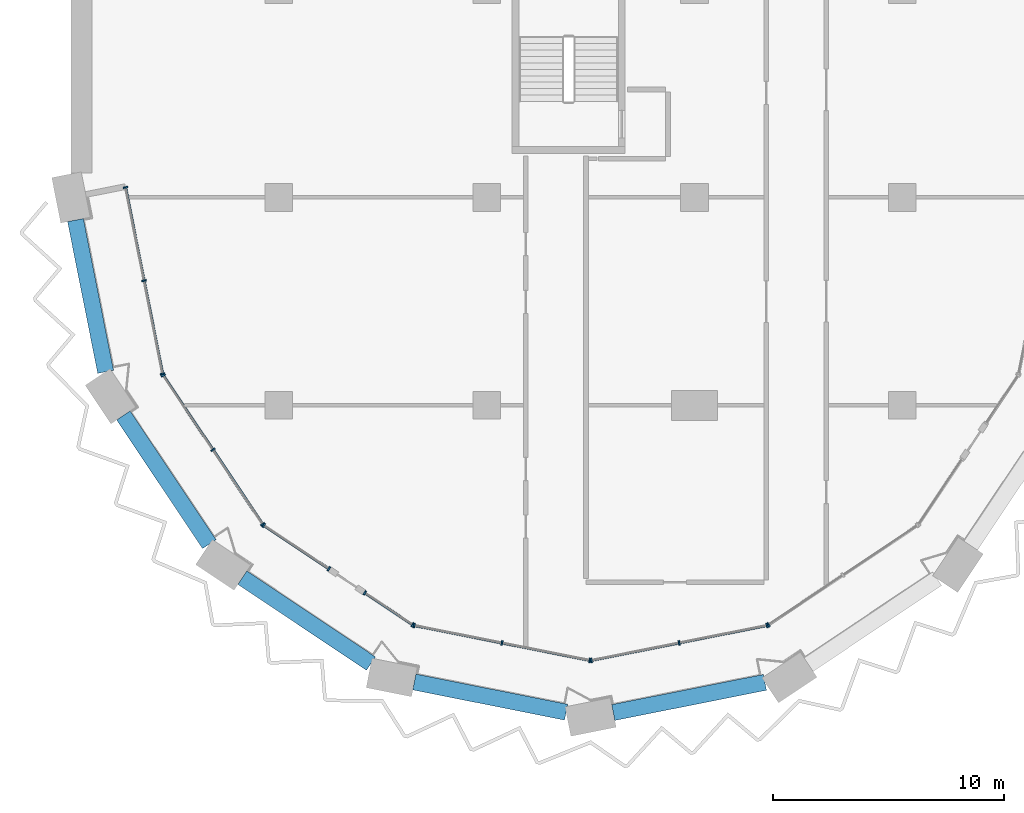
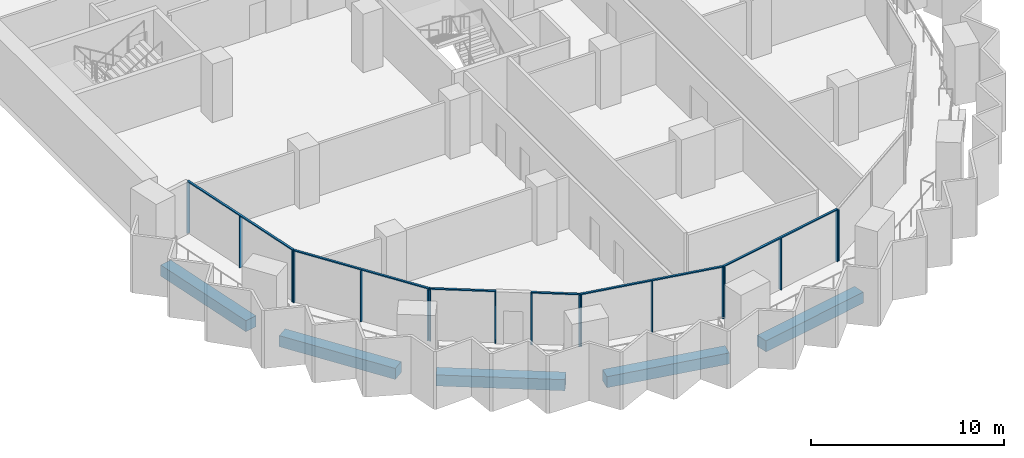
# One storey, part 2 of 23: 23 members, 5 beams, 7 elements without a shape of their own.
"""IFC4 building model written with IfcOpenShell, lengths in metres."""

from ifc_helpers import new_model, si_unit, direction, frame, origin, origin_2d, place, context, subcontext, project, spatial, rectangle, extrude, material, material_profile, profile_set, type_object, element, aggregate, save


model = new_model("IFC4")

# Units and contexts
model_context = context("Model", 3, precision=1e-05, world=origin(), true_north=direction((0.0, 1.0)))
body_context = subcontext(model_context, "Body", "Model", "MODEL_VIEW")
ifc_project = project(units=[si_unit("LENGTHUNIT", "METRE"), si_unit("AREAUNIT", "SQUARE_METRE"), si_unit("VOLUMEUNIT", "CUBIC_METRE"), si_unit("PLANEANGLEUNIT", "RADIAN"), si_unit("MASSUNIT", "GRAM", prefix="KILO")], contexts=[model_context])

# Site, building, storey
site_placement = place(None, origin())
site = spatial("IfcSite", under=ifc_project, at=site_placement, CompositionType="ELEMENT")
building_placement = place(site_placement, origin())
building = spatial("IfcBuilding", under=site, at=building_placement, Name="Hunhe Ridgeline Campus", CompositionType="ELEMENT")
storey_placement = place(building_placement, frame((0.0, 0.0, 148.60009765625)))
storey = spatial("IfcBuildingStorey", under=building, at=storey_placement, Name="L37", CompositionType="ELEMENT", Elevation=148.60009765625)

# Curtain wall, members
ifc_material_1 = material(Name="Aluminium 6063", Category="aluminium")
curtain_wall_type = type_object("IfcCurtainWallType", Name="Curtain wall CW-5", PredefinedType="NOTDEFINED", material=ifc_material_1)
curtain_wall_1_placement = place(storey_placement, origin())
curtain_wall_1 = element("IfcCurtainWall", 1, at=curtain_wall_1_placement, inside=storey, type_object=curtain_wall_type, Name="Curtain wall 01", PredefinedType="NOTDEFINED")
ifc_material_profile_1 = material_profile(ifc_material_1, rectangle(XDim=0.199951171875, YDim=0.070068359375, at=origin_2d()))
ifc_profile_set_1 = profile_set([ifc_material_profile_1], Name="Aluminium 6063")
member_type_1 = type_object("IfcMemberType", Name="CW-5 aluminium mullion", PredefinedType="MULLION", material=ifc_profile_set_1)
member_1_placement = place(storey_placement, frame((2.361572265625, 27.434326171875, 0.0), z_axis=(0.0, 0.0, 1.0), x_axis=(0.980784280831, 0.195095347137, 0.0)))
member_1 = element("IfcMember", 2, at=member_1_placement, type_object=member_type_1, Name="CW-5 mullion 1", PredefinedType="MULLION", context=body_context, shape_type="SweptSolid", body=[
    extrude(rectangle(XDim=0.199951171875, YDim=0.070068359375, at=origin_2d()), origin(), (0.0, 0.0, 1.0), 3.22998046875),
])
member_2_placement = place(storey_placement, frame((3.16455078125, 23.3974609375, 0.0), z_axis=(0.0, 0.0, 1.0), x_axis=(0.980784280831, 0.195095347137, 0.0)))
member_2 = element("IfcMember", 3, at=member_2_placement, type_object=member_type_1, Name="CW-5 mullion 2", PredefinedType="MULLION", context=body_context, shape_type="SweptSolid", body=[
    extrude(rectangle(XDim=0.199951171875, YDim=0.070068359375, at=origin_2d()), origin(), (0.0, 0.0, 1.0), 3.22998046875),
])
member_3_placement = place(storey_placement, frame((3.967529296875, 19.36083984375, 0.0), z_axis=(0.0, 0.0, 1.0), x_axis=(0.980784280831, 0.195095347137, 0.0)))
member_3 = element("IfcMember", 4, at=member_3_placement, type_object=member_type_1, Name="CW-5 mullion 3", PredefinedType="MULLION", context=body_context, shape_type="SweptSolid", body=[
    extrude(rectangle(XDim=0.199951171875, YDim=0.070068359375, at=origin_2d()), origin(), (0.0, 0.0, 1.0), 3.22998046875),
])

curtain_wall_2_placement = place(storey_placement, origin())
curtain_wall_2 = element("IfcCurtainWall", 5, at=curtain_wall_2_placement, inside=storey, type_object=curtain_wall_type, Name="Curtain wall 02", PredefinedType="NOTDEFINED")
member_4_placement = place(storey_placement, frame((3.993896484375, 19.29736328125, 0.0), z_axis=(0.0, 0.0, 1.0), x_axis=(0.831469584522, 0.555570274596, 0.0)))
member_4 = element("IfcMember", 6, at=member_4_placement, type_object=member_type_1, Name="CW-5 mullion 1", PredefinedType="MULLION", context=body_context, shape_type="SweptSolid", body=[
    extrude(rectangle(XDim=0.199951171875, YDim=0.070068359375, at=origin_2d()), origin(), (0.0, 0.0, 1.0), 3.22998046875),
])
member_5_placement = place(storey_placement, frame((6.147705078125, 16.07373046875, 0.0), z_axis=(0.0, 0.0, 1.0), x_axis=(0.831469584522, 0.555570274596, 0.0)))
member_5 = element("IfcMember", 7, at=member_5_placement, type_object=member_type_1, Name="CW-5 mullion 2", PredefinedType="MULLION", context=body_context, shape_type="SweptSolid", body=[
    extrude(rectangle(XDim=0.199951171875, YDim=0.070068359375, at=origin_2d()), origin(), (0.0, 0.0, 1.0), 3.22998046875),
])
member_6_placement = place(storey_placement, frame((8.3017578125, 12.850341796875, 0.0), z_axis=(0.0, 0.0, 1.0), x_axis=(0.831469584522, 0.555570274596, 0.0)))
member_6 = element("IfcMember", 8, at=member_6_placement, type_object=member_type_1, Name="CW-5 mullion 3", PredefinedType="MULLION", context=body_context, shape_type="SweptSolid", body=[
    extrude(rectangle(XDim=0.199951171875, YDim=0.070068359375, at=origin_2d()), origin(), (0.0, 0.0, 1.0), 3.22998046875),
])

curtain_wall_3_placement = place(storey_placement, origin())
curtain_wall_3 = element("IfcCurtainWall", 9, at=curtain_wall_3_placement, inside=storey, type_object=curtain_wall_type, Name="Curtain wall 03", PredefinedType="NOTDEFINED")
member_7_placement = place(storey_placement, frame((8.350341796875, 12.8017578125, 0.0), z_axis=(0.0, 0.0, 1.0), x_axis=(0.555570257501, 0.831469595944, 0.0)))
member_7 = element("IfcMember", 10, at=member_7_placement, type_object=member_type_1, Name="CW-5 mullion 1", PredefinedType="MULLION", context=body_context, shape_type="SweptSolid", body=[
    extrude(rectangle(XDim=0.199951171875, YDim=0.070068359375, at=origin_2d()), origin(), (0.0, 0.0, 1.0), 3.22998046875),
])
member_8_placement = place(storey_placement, frame((11.17041015625, 10.917236328125, 0.0), z_axis=(0.0, 0.0, 1.0), x_axis=(0.555570257501, 0.831469595944, 0.0)))
member_8 = element("IfcMember", 11, at=member_8_placement, type_object=member_type_1, Name="CW-5 mullion 2", PredefinedType="MULLION", context=body_context, shape_type="SweptSolid", body=[
    extrude(rectangle(XDim=0.199951171875, YDim=0.070068359375, at=origin_2d()), origin(), (0.0, 0.0, 1.0), 3.22998046875),
])

curtain_wall_4_placement = place(storey_placement, origin())
curtain_wall_4 = element("IfcCurtainWall", 12, at=curtain_wall_4_placement, inside=storey, type_object=curtain_wall_type, Name="Curtain wall 04", PredefinedType="NOTDEFINED")
member_9_placement = place(storey_placement, frame((12.725341796875, 9.87841796875, 0.0), z_axis=(0.0, 0.0, 1.0), x_axis=(0.555570385598, 0.831469510353, 0.0)))
member_9 = element("IfcMember", 13, at=member_9_placement, type_object=member_type_1, Name="CW-5 mullion 1", PredefinedType="MULLION", context=body_context, shape_type="SweptSolid", body=[
    extrude(rectangle(XDim=0.199951171875, YDim=0.070068359375, at=origin_2d()), origin(), (0.0, 0.0, 1.0), 3.22998046875),
])
member_10_placement = place(storey_placement, frame((14.79736328125, 8.493896484375, 0.0), z_axis=(0.0, 0.0, 1.0), x_axis=(0.555570385598, 0.831469510353, 0.0)))
member_10 = element("IfcMember", 14, at=member_10_placement, type_object=member_type_1, Name="CW-5 mullion 2", PredefinedType="MULLION", context=body_context, shape_type="SweptSolid", body=[
    extrude(rectangle(XDim=0.199951171875, YDim=0.070068359375, at=origin_2d()), origin(), (0.0, 0.0, 1.0), 3.22998046875),
])

curtain_wall_5_placement = place(storey_placement, origin())
curtain_wall_5 = element("IfcCurtainWall", 15, at=curtain_wall_5_placement, inside=storey, type_object=curtain_wall_type, Name="Curtain wall 05", PredefinedType="NOTDEFINED")
member_11_placement = place(storey_placement, frame((14.86083984375, 8.467529296875, 0.0), z_axis=(0.0, 0.0, 1.0), x_axis=(0.195090347539, 0.980785275326, 0.0)))
member_11 = element("IfcMember", 16, at=member_11_placement, type_object=member_type_1, Name="CW-5 mullion 1", PredefinedType="MULLION", context=body_context, shape_type="SweptSolid", body=[
    extrude(rectangle(XDim=0.199951171875, YDim=0.070068359375, at=origin_2d()), origin(), (0.0, 0.0, 1.0), 3.22998046875),
])
member_12_placement = place(storey_placement, frame((18.663330078125, 7.711181640625, 0.0), z_axis=(0.0, 0.0, 1.0), x_axis=(0.195090347539, 0.980785275326, 0.0)))
member_12 = element("IfcMember", 17, at=member_12_placement, type_object=member_type_1, Name="CW-5 mullion 2", PredefinedType="MULLION", context=body_context, shape_type="SweptSolid", body=[
    extrude(rectangle(XDim=0.199951171875, YDim=0.070068359375, at=origin_2d()), origin(), (0.0, 0.0, 1.0), 3.22998046875),
])
member_13_placement = place(storey_placement, frame((22.465576171875, 6.954833984375, 0.0), z_axis=(0.0, 0.0, 1.0), x_axis=(0.195090347539, 0.980785275326, 0.0)))
member_13 = element("IfcMember", 18, at=member_13_placement, type_object=member_type_1, Name="CW-5 mullion 3", PredefinedType="MULLION", context=body_context, shape_type="SweptSolid", body=[
    extrude(rectangle(XDim=0.199951171875, YDim=0.070068359375, at=origin_2d()), origin(), (0.0, 0.0, 1.0), 3.22998046875),
])

curtain_wall_6_placement = place(storey_placement, origin())
curtain_wall_6 = element("IfcCurtainWall", 19, at=curtain_wall_6_placement, inside=storey, type_object=curtain_wall_type, Name="Curtain wall 06", PredefinedType="NOTDEFINED")
member_14_placement = place(storey_placement, frame((22.534423828125, 6.954833984375, 0.0), z_axis=(0.0, 0.0, 1.0), x_axis=(-0.195090347539, 0.980785275326, 0.0)))
member_14 = element("IfcMember", 20, at=member_14_placement, type_object=member_type_1, Name="CW-5 mullion 1", PredefinedType="MULLION", context=body_context, shape_type="SweptSolid", body=[
    extrude(rectangle(XDim=0.199951171875, YDim=0.070068359375, at=origin_2d()), origin(), (0.0, 0.0, 1.0), 3.22998046875),
])
member_15_placement = place(storey_placement, frame((26.336669921875, 7.711181640625, 0.0), z_axis=(0.0, 0.0, 1.0), x_axis=(-0.195090347539, 0.980785275326, 0.0)))
member_15 = element("IfcMember", 21, at=member_15_placement, type_object=member_type_1, Name="CW-5 mullion 2", PredefinedType="MULLION", context=body_context, shape_type="SweptSolid", body=[
    extrude(rectangle(XDim=0.199951171875, YDim=0.070068359375, at=origin_2d()), origin(), (0.0, 0.0, 1.0), 3.22998046875),
])
member_16_placement = place(storey_placement, frame((30.13916015625, 8.467529296875, 0.0), z_axis=(0.0, 0.0, 1.0), x_axis=(-0.195090347539, 0.980785275326, 0.0)))
member_16 = element("IfcMember", 22, at=member_16_placement, type_object=member_type_1, Name="CW-5 mullion 3", PredefinedType="MULLION", context=body_context, shape_type="SweptSolid", body=[
    extrude(rectangle(XDim=0.199951171875, YDim=0.070068359375, at=origin_2d()), origin(), (0.0, 0.0, 1.0), 3.22998046875),
])

# Curtain wall, member
curtain_wall_7_placement = place(storey_placement, origin())
curtain_wall_7 = element("IfcCurtainWall", 23, at=curtain_wall_7_placement, inside=storey, type_object=curtain_wall_type, Name="Curtain wall 07", PredefinedType="NOTDEFINED")
member_17_placement = place(storey_placement, frame((30.20263671875, 8.493896484375, 0.0), z_axis=(0.0, 0.0, 1.0), x_axis=(-0.555570274596, 0.831469584522, 0.0)))
member_17 = element("IfcMember", 24, at=member_17_placement, type_object=member_type_1, Name="CW-5 mullion 1", PredefinedType="MULLION", context=body_context, shape_type="SweptSolid", body=[
    extrude(rectangle(XDim=0.199951171875, YDim=0.070068359375, at=origin_2d()), origin(), (0.0, 0.0, 1.0), 3.22998046875),
])
aggregate(curtain_wall_7, [member_17])

# Member
ifc_material_profile_2 = material_profile(ifc_material_1, rectangle(XDim=0.1201171875, YDim=0.070068359375, at=origin_2d()))
ifc_profile_set_2 = profile_set([ifc_material_profile_2], Name="Aluminium 6063")
member_type_2 = type_object("IfcMemberType", Name="CW-5 aluminium transom", PredefinedType="USERDEFINED", material=ifc_profile_set_2)
member_18_placement = place(storey_placement, frame((2.354736328125, 27.46875, 3.264892578125), z_axis=(0.195092405068, -0.980784866056, 0.0), x_axis=(0.980784866056, 0.195092405068, 0.0)))
member_18 = element("IfcMember", 25, at=member_18_placement, type_object=member_type_2, Name="CW-5 transom 1", ObjectType="TRANSOM", PredefinedType="USERDEFINED", context=body_context, shape_type="SweptSolid", body=[
    extrude(rectangle(XDim=0.1201171875, YDim=0.070068359375, at=origin_2d()), origin(), (0.0, 0.0, 1.0), 8.3017578125),
])

aggregate(curtain_wall_1, [member_18, member_1, member_2, member_3])

member_19_placement = place(storey_placement, frame((3.974365234375, 19.326416015625, 3.264892578125), z_axis=(0.5555640203, -0.831473763475, 0.0), x_axis=(0.831473763475, 0.5555640203, 0.0)))
member_19 = element("IfcMember", 26, at=member_19_placement, type_object=member_type_2, Name="CW-5 transom 1", ObjectType="TRANSOM", PredefinedType="USERDEFINED", context=body_context, shape_type="SweptSolid", body=[
    extrude(rectangle(XDim=0.1201171875, YDim=0.070068359375, at=origin_2d()), origin(), (0.0, 0.0, 1.0), 7.823974609375),
])

aggregate(curtain_wall_2, [member_19, member_4, member_5, member_6])

member_20_placement = place(storey_placement, frame((8.321044921875, 12.821044921875, 3.264892578125), z_axis=(0.831485714606, -0.555546133463, 0.0), x_axis=(0.555546133463, 0.831485714606, 0.0)))
member_20 = element("IfcMember", 27, at=member_20_placement, type_object=member_type_2, Name="CW-5 transom 1", ObjectType="TRANSOM", PredefinedType="USERDEFINED", context=body_context, shape_type="SweptSolid", body=[
    extrude(rectangle(XDim=0.1201171875, YDim=0.070068359375, at=origin_2d()), origin(), (0.0, 0.0, 1.0), 3.462158203125),
])

aggregate(curtain_wall_3, [member_20, member_7, member_8])

member_21_placement = place(storey_placement, frame((12.6962890625, 9.897705078125, 3.264892578125), z_axis=(0.831463388334, -0.555579547735, 0.0), x_axis=(0.555579547735, 0.831463388334, 0.0)))
member_21 = element("IfcMember", 28, at=member_21_placement, type_object=member_type_2, Name="CW-5 transom 1", ObjectType="TRANSOM", PredefinedType="USERDEFINED", context=body_context, shape_type="SweptSolid", body=[
    extrude(rectangle(XDim=0.1201171875, YDim=0.070068359375, at=origin_2d()), origin(), (0.0, 0.0, 1.0), 2.56201171875),
])

aggregate(curtain_wall_4, [member_21, member_9, member_10])

member_22_placement = place(storey_placement, frame((14.826416015625, 8.474365234375, 3.264892578125), z_axis=(0.980785367689, -0.195089883198, 0.0), x_axis=(0.195089883198, 0.980785367689, 0.0)))
member_22 = element("IfcMember", 29, at=member_22_placement, type_object=member_type_2, Name="CW-5 transom 1", ObjectType="TRANSOM", PredefinedType="USERDEFINED", context=body_context, shape_type="SweptSolid", body=[
    extrude(rectangle(XDim=0.1201171875, YDim=0.070068359375, at=origin_2d()), origin(), (0.0, 0.0, 1.0), 7.823974609375),
])

aggregate(curtain_wall_5, [member_22, member_11, member_12, member_13])

member_23_placement = place(storey_placement, frame((22.5, 6.947998046875, 3.264892578125), z_axis=(0.980785367689, 0.195089883198, 0.0), x_axis=(-0.195089883198, 0.980785367689, 0.0)))
member_23 = element("IfcMember", 30, at=member_23_placement, type_object=member_type_2, Name="CW-5 transom 1", ObjectType="TRANSOM", PredefinedType="USERDEFINED", context=body_context, shape_type="SweptSolid", body=[
    extrude(rectangle(XDim=0.1201171875, YDim=0.070068359375, at=origin_2d()), origin(), (0.0, 0.0, 1.0), 7.823974609375),
])

aggregate(curtain_wall_6, [member_23, member_14, member_15, member_16])

# Beams
ifc_material_2 = material(Name="Concrete C60", Category="concrete")
ifc_material_profile_3 = material_profile(ifc_material_2, rectangle(XDim=0.699951171875, YDim=0.699951171875, at=origin_2d()))
ifc_profile_set_3 = profile_set([ifc_material_profile_3], Name="Concrete C60")
beam_type = type_object("IfcBeamType", Name="RC spandrel beam 700x700 Concrete C60", PredefinedType="SPANDREL", material=ifc_profile_set_3)
for number, where, z_axis, x_axis, name in (
    (31, (0.195068359375, 26.019287109375, -0.60009765625), (0.195078418929, -0.980787647999, 0.0), (0.980787647999, 0.195078418929, 0.0), "Spandrel beam B2-1 L37"),
    (32, (2.268310546875, 17.55810546875, -0.60009765625), (0.555566447474, -0.831472141711, 0.0), (0.831472141711, 0.555566447474, 0.0), "Spandrel beam B2-2 L37"),
    (33, (7.421630859375, 10.534423828125, -0.60009765625), (0.831472141711, -0.555566447474, 0.0), (0.555566447474, 0.831472141711, 0.0), "Spandrel beam B2-3 L37"),
    (34, (14.870361328125, 6.017578125, -0.60009765625), (0.980787647999, -0.195078418929, 0.0), (0.195078418929, 0.980787647999, 0.0), "Spandrel beam B2-4 L37"),
    (35, (23.480712890625, 4.695068359375, -0.60009765625), (0.980787647999, 0.195078418929, 0.0), (-0.195078418929, 0.980787647999, 0.0), "Spandrel beam B2-5 L37"),
):
    element("IfcBeam", number, at=place(storey_placement, frame(where, z_axis=z_axis, x_axis=x_axis)), inside=storey, type_object=beam_type, Name=name, PredefinedType="SPANDREL", context=body_context, shape_type="SweptSolid", body=[
        extrude(rectangle(XDim=0.699951171875, YDim=0.699951171875, at=origin_2d()), origin(), (0.0, 0.0, 1.0), 6.69677734375),
    ])

save(model, "model.ifc")
